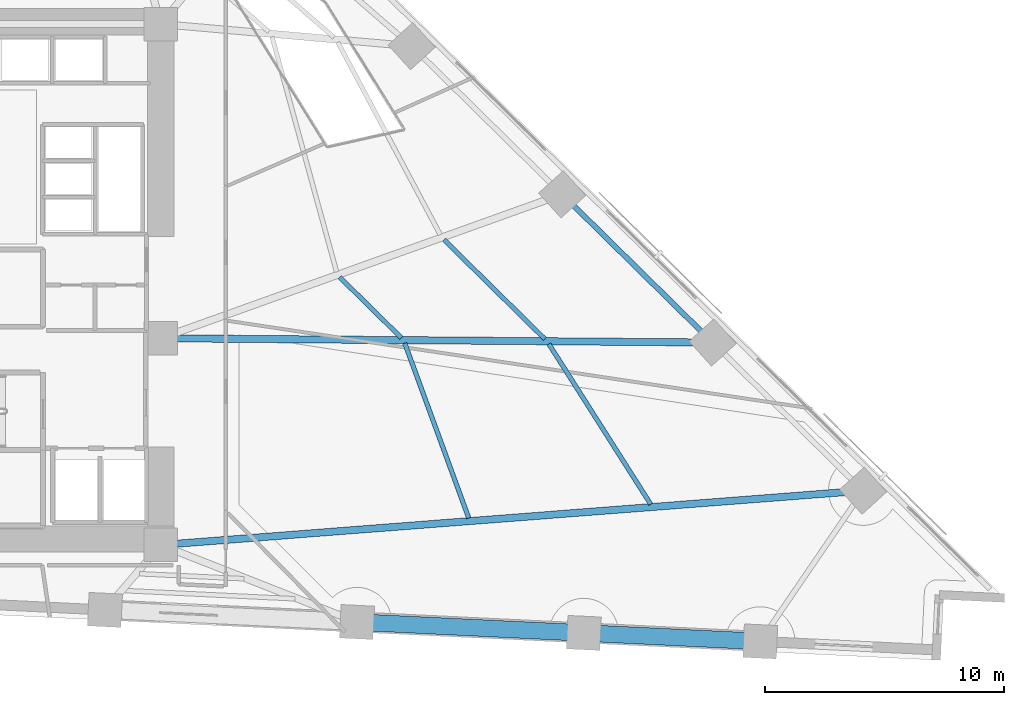
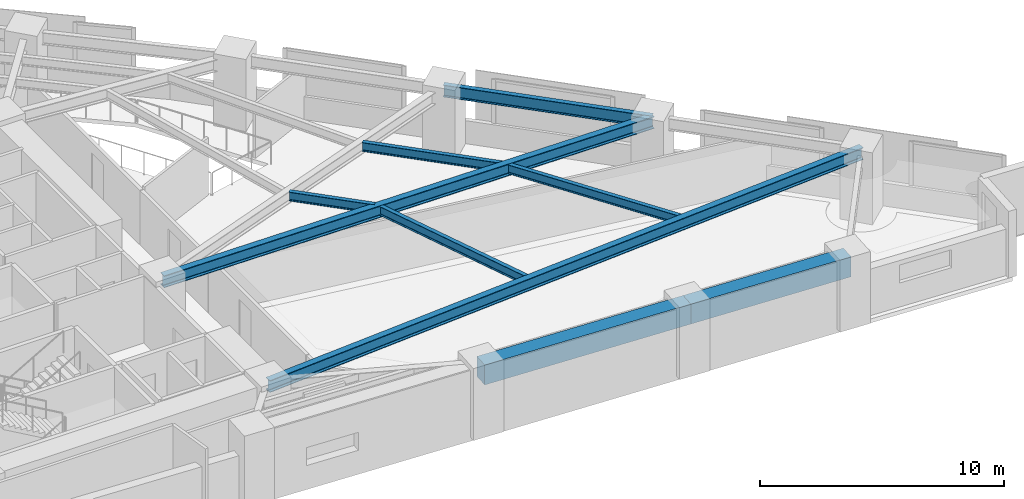
# One storey, part 3 of 17: 9 beams.
"""IFC4 building model written with IfcOpenShell, lengths in metres."""

from ifc_helpers import new_model, si_unit, direction, frame, origin, origin_2d, place, context, subcontext, project, spatial, rectangle, i_section, extrude, material, material_profile, profile_set, type_object, element, save


model = new_model("IFC4")

# Units and contexts
model_context = context("Model", 3, precision=1e-05, world=origin(), true_north=direction((0.0, 1.0)))
body_context = subcontext(model_context, "Body", "Model", "MODEL_VIEW")
ifc_project = project(units=[si_unit("LENGTHUNIT", "METRE"), si_unit("AREAUNIT", "SQUARE_METRE"), si_unit("VOLUMEUNIT", "CUBIC_METRE"), si_unit("PLANEANGLEUNIT", "RADIAN"), si_unit("MASSUNIT", "GRAM", prefix="KILO")], contexts=[model_context])

# Site, building, storey
site_placement = place(None, origin())
site = spatial("IfcSite", under=ifc_project, at=site_placement, CompositionType="ELEMENT")
building_placement = place(site_placement, origin())
building = spatial("IfcBuilding", under=site, at=building_placement, Name="Narakoshi Arena Tower", CompositionType="ELEMENT")
storey_placement = place(building_placement, frame((0.0, 0.0, 33.89990234375)))
storey = spatial("IfcBuildingStorey", under=building, at=storey_placement, Name="L08", CompositionType="ELEMENT", Elevation=33.89990234375)

# Beams
ifc_material_1 = material(Name="Concrete C60/75", Category="concrete")
ifc_material_profile_1 = material_profile(ifc_material_1, rectangle(XDim=0.699951171875, YDim=1.0, at=origin_2d()), Name="RCB700x1000")
ifc_profile_set_1 = profile_set([ifc_material_profile_1], Name="Concrete C60/75")
beam_type_1 = type_object("IfcBeamType", Name="BM-CPL-1000", PredefinedType="BEAM", material=ifc_profile_set_1)
beam_1_placement = place(storey_placement, frame((93.760009765625, 31.472412109375, 2.840087890625), z_axis=(0.998849228903, -0.047960587155, 0.0), x_axis=(0.047960587155, 0.998849228903, 0.0)))
element("IfcBeam", 1, at=beam_1_placement, inside=storey, type_object=beam_type_1, Name="L08 Perimeter Edge Girder 02", PredefinedType="BEAM", context=body_context, shape_type="SweptSolid", body=[
    extrude(rectangle(XDim=0.699951171875, YDim=1.0, at=origin_2d()), origin(), (0.0, 0.0, 1.0), 9.50390625),
])
beam_2_placement = place(storey_placement, frame((103.2529296875, 31.0166015625, 2.840087890625), z_axis=(0.998847872759, -0.047988822508, 0.0), x_axis=(0.047988822508, 0.998847872759, 0.0)))
element("IfcBeam", 2, at=beam_2_placement, inside=storey, type_object=beam_type_1, Name="L08 Perimeter Edge Girder 03", PredefinedType="BEAM", context=body_context, shape_type="SweptSolid", body=[
    extrude(rectangle(XDim=0.699951171875, YDim=1.0, at=origin_2d()), origin(), (0.0, 0.0, 1.0), 7.39208984375),
])
ifc_material_2 = material(Name="Structural steel S355J2", Category="steel")
ifc_material_profile_2 = material_profile(ifc_material_2, i_section(OverallWidth=0.219970703125, OverallDepth=0.60009765625, WebThickness=0.011962890625, FlangeThickness=0.01904296875, FilletRadius=0.02392578125, at=origin_2d()), Name="IPE600")
ifc_profile_set_2 = profile_set([ifc_material_profile_2], Name="Structural steel S355J2")
beam_type_2 = type_object("IfcBeamType", Name="BM-EDGE-600", PredefinedType="BEAM", material=ifc_profile_set_2)
beam_3_placement = place(storey_placement, frame((108.643798828125, 43.171875, 3.0400390625), z_axis=(-0.712540689328, 0.70163079041, 0.0), x_axis=(-0.70163079041, -0.712540689328, 0.0)))
element("IfcBeam", 3, at=beam_3_placement, inside=storey, type_object=beam_type_2, Name="L08 Perimeter Edge Girder 06", PredefinedType="BEAM", context=body_context, shape_type="SweptSolid", body=[
    extrude(i_section(OverallWidth=0.219970703125, OverallDepth=0.60009765625, WebThickness=0.011962890625, FlangeThickness=0.01904296875, FilletRadius=0.02392578125, at=origin_2d()), origin(), (0.0, 0.0, 1.0), 8.83935546875),
])
ifc_material_profile_3 = material_profile(ifc_material_2, i_section(OverallWidth=0.300048828125, OverallDepth=0.60009765625, WebThickness=0.015380859375, FlangeThickness=0.030029296875, FilletRadius=0.027099609375, at=origin_2d()), Name="HE600B")
ifc_profile_set_3 = profile_set([ifc_material_profile_3], Name="Structural steel S355J2")
beam_type_3 = type_object("IfcBeamType", Name="BM-PRI-600", PredefinedType="BEAM", material=ifc_profile_set_3)
beam_4_placement = place(storey_placement, frame((85.550048828125, 34.699951171875, 3.0400390625), z_axis=(0.99703085997, 0.077003014669, 0.0), x_axis=(-0.077003014669, 0.99703085997, 0.0)))
element("IfcBeam", 4, at=beam_4_placement, inside=storey, type_object=beam_type_3, Name="L08 Radial Primary Floor Girder 05", PredefinedType="BEAM", context=body_context, shape_type="SweptSolid", body=[
    extrude(i_section(OverallWidth=0.300048828125, OverallDepth=0.60009765625, WebThickness=0.015380859375, FlangeThickness=0.030029296875, FilletRadius=0.027099609375, at=origin_2d()), origin(), (0.0, 0.0, 1.0), 29.479736328125),
])
beam_5_placement = place(storey_placement, frame((85.550048828125, 43.35009765625, 3.0400390625), z_axis=(0.99997022255, -0.00771712473, 0.0), x_axis=(0.00771712473, 0.99997022255, 0.0)))
element("IfcBeam", 5, at=beam_5_placement, inside=storey, type_object=beam_type_3, Name="L08 Radial Primary Floor Girder 06", PredefinedType="BEAM", context=body_context, shape_type="SweptSolid", body=[
    extrude(i_section(OverallWidth=0.300048828125, OverallDepth=0.60009765625, WebThickness=0.015380859375, FlangeThickness=0.030029296875, FilletRadius=0.027099609375, at=origin_2d()), origin(), (0.0, 0.0, 1.0), 23.094482421875),
])
ifc_material_profile_4 = material_profile(ifc_material_2, i_section(OverallWidth=0.18994140625, OverallDepth=0.449951171875, WebThickness=0.009521484375, FlangeThickness=0.0146484375, FilletRadius=0.02099609375, at=origin_2d()), Name="IPE450")
ifc_profile_set_4 = profile_set([ifc_material_profile_4], Name="Structural steel S355J2")
beam_type_4 = type_object("IfcBeamType", Name="BM-SEC-450", PredefinedType="JOIST", material=ifc_profile_set_4)
beam_6_placement = place(storey_placement, frame((98.436279296875, 35.825439453125, 3.114990234375), z_axis=(-0.343646214549, 0.939099184978, 0.0), x_axis=(-0.939099184978, -0.343646214549, 0.0)))
element("IfcBeam", 6, at=beam_6_placement, inside=storey, type_object=beam_type_4, Name="L08 Composite Secondary Floor Joist 03", PredefinedType="JOIST", context=body_context, shape_type="SweptSolid", body=[
    extrude(i_section(OverallWidth=0.18994140625, OverallDepth=0.449951171875, WebThickness=0.009521484375, FlangeThickness=0.0146484375, FilletRadius=0.02099609375, at=origin_2d()), origin(), (0.0, 0.0, 1.0), 7.794189453125),
])
beam_7_placement = place(storey_placement, frame((106.052001953125, 36.40283203125, 3.114990234375), z_axis=(-0.536416331891, 0.843953505165, 0.0), x_axis=(-0.843953505165, -0.536416331891, 0.0)))
element("IfcBeam", 7, at=beam_7_placement, inside=storey, type_object=beam_type_4, Name="L08 Composite Secondary Floor Joist 04", PredefinedType="JOIST", context=body_context, shape_type="SweptSolid", body=[
    extrude(i_section(OverallWidth=0.18994140625, OverallDepth=0.449951171875, WebThickness=0.009521484375, FlangeThickness=0.0146484375, FilletRadius=0.02099609375, at=origin_2d()), origin(), (0.0, 0.0, 1.0), 7.948974609375),
])
beam_8_placement = place(storey_placement, frame((95.614990234375, 43.366455078125, 3.114990234375), z_axis=(-0.71254969756, 0.701621641989, 0.0), x_axis=(-0.701621641989, -0.71254969756, 0.0)))
element("IfcBeam", 8, at=beam_8_placement, inside=storey, type_object=beam_type_4, Name="L08 Composite Secondary Floor Joist 05", PredefinedType="JOIST", context=body_context, shape_type="SweptSolid", body=[
    extrude(i_section(OverallWidth=0.18994140625, OverallDepth=0.449951171875, WebThickness=0.009521484375, FlangeThickness=0.0146484375, FilletRadius=0.02099609375, at=origin_2d()), origin(), (0.0, 0.0, 1.0), 3.619140625),
])
beam_9_placement = place(storey_placement, frame((101.619384765625, 43.320068359375, 3.114990234375), z_axis=(-0.71253191184, 0.701639704271, 0.0), x_axis=(-0.701639704271, -0.71253191184, 0.0)))
element("IfcBeam", 9, at=beam_9_placement, inside=storey, type_object=beam_type_4, Name="L08 Composite Secondary Floor Joist 06", PredefinedType="JOIST", context=body_context, shape_type="SweptSolid", body=[
    extrude(i_section(OverallWidth=0.18994140625, OverallDepth=0.449951171875, WebThickness=0.009521484375, FlangeThickness=0.0146484375, FilletRadius=0.02099609375, at=origin_2d()), origin(), (0.0, 0.0, 1.0), 5.91748046875),
])

save(model, "model.ifc")
